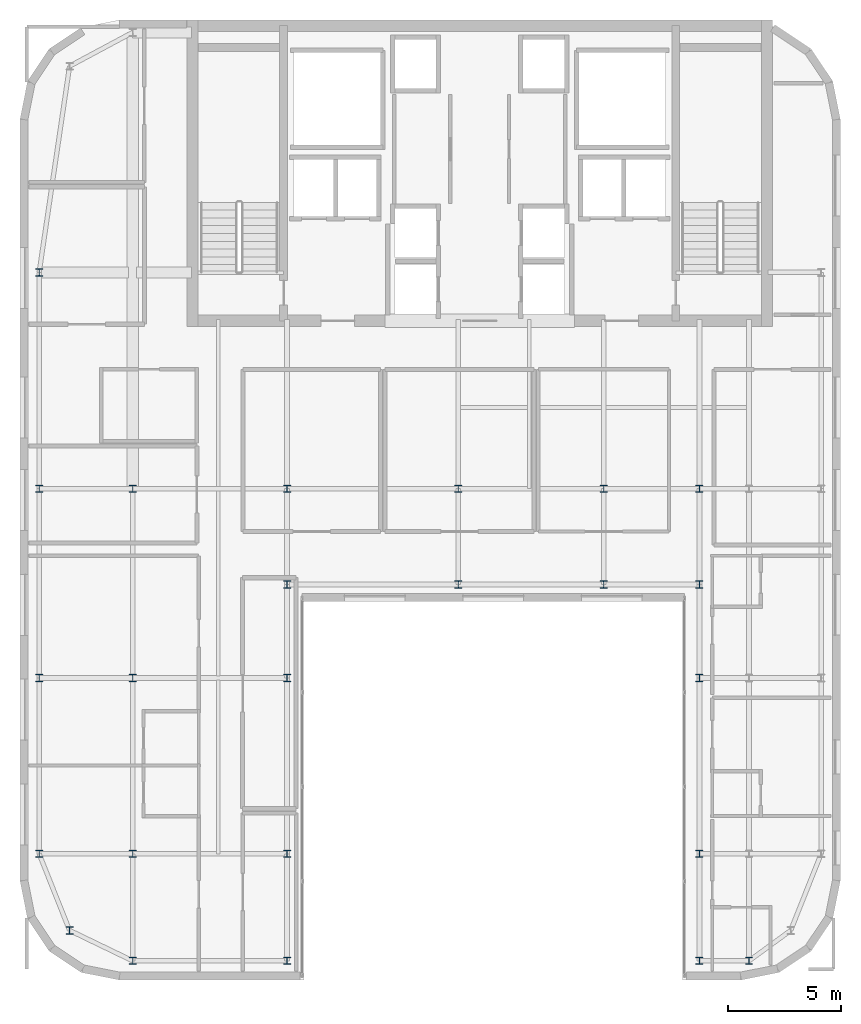
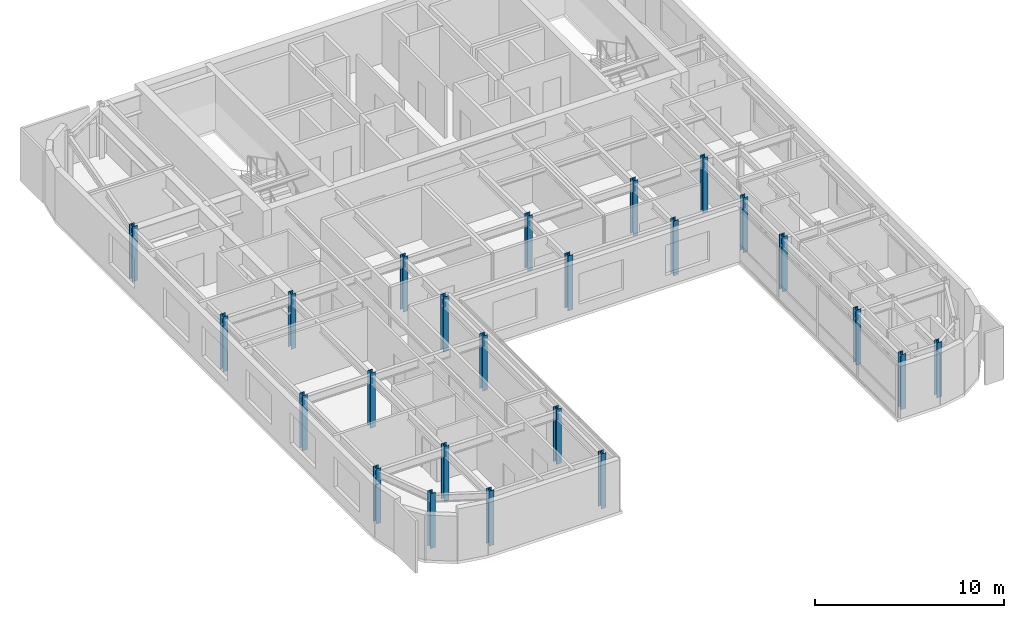
# One storey, part 1 of 18: 24 columns.
"""IFC4 building model written with IfcOpenShell, lengths in metres."""

from ifc_helpers import new_model, si_unit, direction, frame, origin, origin_2d, place, context, subcontext, project, spatial, i_section, extrude, source, transform, mapped, material, material_profile, profile_set, type_object, type_shapes, element, save


model = new_model("IFC4")

# Units and contexts
model_context = context("Model", 3, precision=1e-05, world=origin(), true_north=direction((0.0, 1.0)))
body_context = subcontext(model_context, "Body", "Model", "MODEL_VIEW")
ifc_project = project(units=[si_unit("LENGTHUNIT", "METRE"), si_unit("AREAUNIT", "SQUARE_METRE"), si_unit("VOLUMEUNIT", "CUBIC_METRE"), si_unit("PLANEANGLEUNIT", "RADIAN"), si_unit("MASSUNIT", "GRAM", prefix="KILO")], contexts=[model_context])

# Site, building, storey
site_placement = place(None, origin())
site = spatial("IfcSite", under=ifc_project, at=site_placement, CompositionType="ELEMENT")
building_placement = place(site_placement, origin())
building = spatial("IfcBuilding", under=site, at=building_placement, Name="Tolvann Quenvar Hotel", CompositionType="ELEMENT")
storey_placement = place(building_placement, frame((0.0, 0.0, 259.39990234375)))
storey = spatial("IfcBuildingStorey", under=building, at=storey_placement, Name="L69", CompositionType="ELEMENT", Elevation=259.39990234375)

# Columns
ifc_material = material(Name="Steel Grade 350", Category="steel")
ifc_material_profile_1 = material_profile(ifc_material, i_section(OverallWidth=0.30908203125, OverallDepth=0.321044921875, WebThickness=0.013916015625, FlangeThickness=0.021728515625, FilletRadius=0.0166015625, at=origin_2d()), Name="310UC137")
ifc_profile_set_1 = profile_set([ifc_material_profile_1], Name="Steel Grade 350")
column_type_1 = type_object("IfcColumnType", Name="COL_310UC137", PredefinedType="COLUMN", material=ifc_profile_set_1)
shared_shape_1 = source(origin(), body_context, "Body", "SweptSolid", [
    extrude(i_section(OverallWidth=0.30908203125, OverallDepth=0.321044921875, WebThickness=0.013916015625, FlangeThickness=0.021728515625, FilletRadius=0.0166015625, at=origin_2d()), origin(), (0.0, 0.0, 1.0), 3.550048828125),
])
type_shapes(column_type_1, [shared_shape_1])
for number, where, z_axis, x_axis, name in (
    (1, (4.800048828125, 4.800048828125, 0.0), (0.0, 0.0, 1.0), (1.0, 0.0, 0.0), "Column B2 (L69)"),
    (2, (3.449951171875, 8.199951171875, 0.0), (0.0, 0.0, 1.0), (1.0, 0.0, 0.0), "Column B3 (L69)"),
    (3, (3.449951171875, 16.0, 0.0), (0.0, 0.0, 1.0), (1.0, 0.0, 0.0), "Column B4 (L69)"),
    (4, (7.60009765625, 3.449951171875, 0.0), (0.0, 0.0, 1.0), (1.0, 0.0, 0.0), "Column C2 (L69)"),
    (5, (14.449951171875, 3.449951171875, 0.0), (0.0, 0.0, 1.0), (1.0, 0.0, 0.0), "Column D2 (L69)"),
    (6, (14.449951171875, 8.199951171875, 0.0), (0.0, 0.0, 1.0), (1.0, 0.0, 0.0), "Column D3 (L69)"),
    (7, (14.449951171875, 16.0, 0.0), (0.0, 0.0, 1.0), (1.0, 0.0, 0.0), "Column D4 (L69)"),
    (8, (32.75, 3.449951171875, 0.0), (0.0, 0.0, 1.0), (1.0, 0.0, 0.0), "Column FP2 (L69)"),
    (9, (32.75, 8.199951171875, 0.0), (0.0, 0.0, 1.0), (1.0, 0.0, 0.0), "Column FP3 (L69)"),
    (10, (32.75, 16.0, 0.0), (0.0, 0.0, 1.0), (1.0, 0.0, 0.0), "Column FP4 (L69)"),
    (11, (34.949951171875, 3.449951171875, 0.0), (0.0, 0.0, 1.0), (1.0, 0.0, 0.0), "Column F2 (L69)"),
    (12, (3.449951171875, 24.39990234375, 0.0), (0.0, 0.0, 1.0), (1.0, 0.0, 0.0), "Column B5 (L69)"),
    (13, (14.449951171875, 20.14990234375, 0.0), (0.0, 0.0, 1.0), (1.0, 0.0, 0.0), "Column D4P (L69)"),
    (14, (22.050048828125, 20.14990234375, 0.0), (0.0, 0.0, 1.0), (1.0, 0.0, 0.0), "Column E4P (L69)"),
    (15, (28.5, 20.14990234375, 0.0), (0.0, 0.0, 1.0), (1.0, 0.0, 0.0), "Column M4P (L69)"),
    (16, (32.75, 20.14990234375, 0.0), (0.0, 0.0, 1.0), (1.0, 0.0, 0.0), "Column FP4P (L69)"),
    (17, (3.449951171875, 34.0, 0.0), (0.0, 0.0, 1.0), (1.0, 0.0, 0.0), "Column BD6 (L69)"),
):
    element("IfcColumn", number, at=place(storey_placement, frame(where, z_axis=z_axis, x_axis=x_axis)), inside=storey, type_object=column_type_1, Name=name, PredefinedType="COLUMN", context=body_context, shape_type="MappedRepresentation", body=[
        mapped(shared_shape_1, transform((0.0, 0.0, 0.0), x_axis=(1.0, 0.0, 0.0), y_axis=(0.0, 1.0, 0.0), z_axis=(0.0, 0.0, 1.0), scale=1.0)),
    ])
ifc_material_profile_2 = material_profile(ifc_material, i_section(OverallWidth=0.306884765625, OverallDepth=0.31494140625, WebThickness=0.011962890625, FlangeThickness=0.018798828125, FilletRadius=0.0166015625, at=origin_2d()), Name="310UC118")
ifc_profile_set_2 = profile_set([ifc_material_profile_2], Name="Steel Grade 350")
column_type_2 = type_object("IfcColumnType", Name="COL_310UC118", PredefinedType="COLUMN", material=ifc_profile_set_2)
shared_shape_2 = source(origin(), body_context, "Body", "SweptSolid", [
    extrude(i_section(OverallWidth=0.306884765625, OverallDepth=0.31494140625, WebThickness=0.011962890625, FlangeThickness=0.018798828125, FilletRadius=0.0166015625, at=origin_2d()), origin(), (0.0, 0.0, 1.0), 3.550048828125),
])
type_shapes(column_type_2, [shared_shape_2])
for number, where, z_axis, x_axis, name in (
    (18, (7.60009765625, 8.199951171875, 0.0), (0.0, 0.0, 1.0), (1.0, 0.0, 0.0), "Column C3 (L69)"),
    (19, (7.60009765625, 16.0, 0.0), (0.0, 0.0, 1.0), (1.0, 0.0, 0.0), "Column C4 (L69)"),
    (20, (7.60009765625, 24.39990234375, 0.0), (0.0, 0.0, 1.0), (1.0, 0.0, 0.0), "Column C5 (L69)"),
    (21, (14.449951171875, 24.39990234375, 0.0), (0.0, 0.0, 1.0), (1.0, 0.0, 0.0), "Column D5 (L69)"),
    (22, (22.050048828125, 24.39990234375, 0.0), (0.0, 0.0, 1.0), (1.0, 0.0, 0.0), "Column E5 (L69)"),
    (23, (28.5, 24.39990234375, 0.0), (0.0, 0.0, 1.0), (1.0, 0.0, 0.0), "Column M5 (L69)"),
    (24, (32.75, 24.39990234375, 0.0), (0.0, 0.0, 1.0), (1.0, 0.0, 0.0), "Column FP5 (L69)"),
):
    element("IfcColumn", number, at=place(storey_placement, frame(where, z_axis=z_axis, x_axis=x_axis)), inside=storey, type_object=column_type_2, Name=name, PredefinedType="COLUMN", context=body_context, shape_type="MappedRepresentation", body=[
        mapped(shared_shape_2, transform((0.0, 0.0, 0.0), x_axis=(1.0, 0.0, 0.0), y_axis=(0.0, 1.0, 0.0), z_axis=(0.0, 0.0, 1.0), scale=1.0)),
    ])

save(model, "model.ifc")
